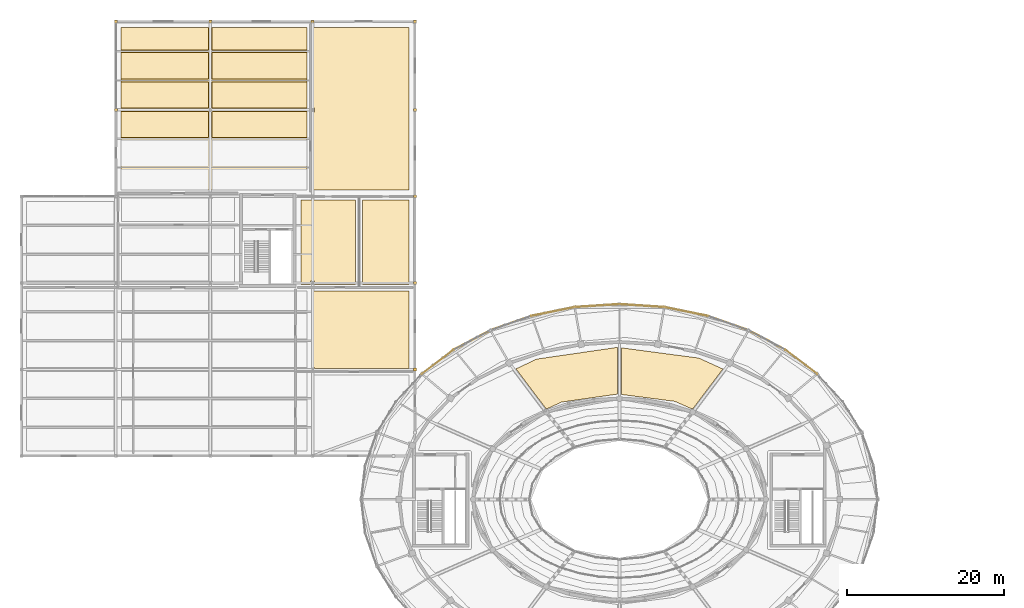
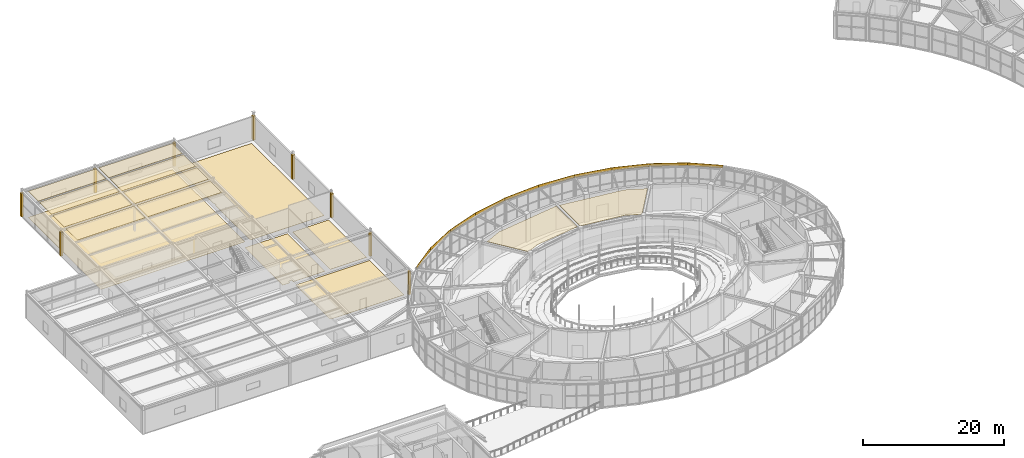
# One storey, part 105 of 108: 34 coverings.
"""IFC4 building model written with IfcOpenShell, lengths in metres."""

from ifc_helpers import new_model, si_unit, direction, frame, frame_2d, origin, origin_2d, place, context, subcontext, project, spatial, polyline, rectangle, outline, extrude, material, layer, layer_set, type_object, element, save


model = new_model("IFC4")

# Units and contexts
model_context = context("Model", 3, precision=1e-05, world=origin(), true_north=direction((0.0, 1.0)))
body_context = subcontext(model_context, "Body", "Model", "MODEL_VIEW")
ifc_project = project(units=[si_unit("LENGTHUNIT", "METRE"), si_unit("AREAUNIT", "SQUARE_METRE"), si_unit("VOLUMEUNIT", "CUBIC_METRE"), si_unit("PLANEANGLEUNIT", "RADIAN"), si_unit("MASSUNIT", "GRAM", prefix="KILO")], contexts=[model_context])

# Site, building, storey
site_placement = place(None, origin())
site = spatial("IfcSite", under=ifc_project, at=site_placement, CompositionType="ELEMENT")
building_placement = place(site_placement, origin())
building = spatial("IfcBuilding", under=site, at=building_placement, Name="Tarnveldt Headland Concert Hall", CompositionType="ELEMENT")
storey_placement = place(building_placement, frame((0.0, 0.0, 9.60009765625)))
storey = spatial("IfcBuildingStorey", under=building, at=storey_placement, Name="L02", CompositionType="ELEMENT", Elevation=9.60009765625)

# Coverings
ifc_material_1 = material(Name="Micro-perforated mvule acoustic ceiling panel", Category="timber")
ifc_layer_1 = layer(ifc_material_1, 0.050048828125, Name="Micro-perforated mvule acoustic ceiling panel", Category="timber")
ifc_layer_set_1 = layer_set([ifc_layer_1], Name="Micro-perforated mvule acoustic ceiling panel")
covering_type_1 = type_object("IfcCoveringType", Name="CV-CEIL50", PredefinedType="CEILING", material=ifc_layer_set_1)
covering_1_placement = place(storey_placement, frame((0.0, 0.0, 4.5)))
element("IfcCovering", 1, at=covering_1_placement, inside=storey, type_object=covering_type_1, Name="Acoustic mvule ceiling L02-10-252", PredefinedType="CEILING", context=body_context, shape_type="SweptSolid", body=[
    extrude(outline(polyline([(90.525146484375, 66.949462890625), (83.72998046875, 67.82958984375), (83.72998046875, 73.755615234375), (93.58447265625, 72.45263671875), (96.640380859375, 71.06201171875), (92.851318359375, 66.03515625), (92.5947265625, 66.03515625), (90.575439453125, 66.935302734375), (90.55908203125, 66.941650390625), (90.54248046875, 66.9462890625), (90.525146484375, 66.949462890625)])), origin(), (0.0, 0.0, 1.0), 0.0498046875),
])
covering_2_placement = place(storey_placement, frame((0.0, 0.0, 4.5)))
element("IfcCovering", 2, at=covering_2_placement, inside=storey, type_object=covering_type_1, Name="Acoustic mvule ceiling L02-10-253", PredefinedType="CEILING", context=body_context, shape_type="SweptSolid", body=[
    extrude(outline(polyline([(76.114990234375, 66.847412109375), (74.36083984375, 66.03515625), (74.148681640625, 66.03515625), (70.344482421875, 71.08251953125), (72.973388671875, 72.324951171875), (83.260986328125, 73.817626953125), (83.27001953125, 73.81640625), (83.27001953125, 67.872314453125), (76.165283203125, 66.8623046875), (76.148193359375, 66.859130859375), (76.13134765625, 66.85400390625), (76.114990234375, 66.847412109375)])), origin(), (0.0, 0.0, 1.0), 0.0498046875),
])
covering_3_placement = place(storey_placement, frame((0.0, 0.0, 4.5)))
element("IfcCovering", 3, at=covering_3_placement, inside=storey, type_object=covering_type_1, Name="Acoustic mvule ceiling L02-29-281", PredefinedType="CEILING", context=body_context, shape_type="SweptSolid", body=[
    extrude(outline(polyline([(31.27001953125, 107.89794921875), (20.1298828125, 107.89794921875), (20.1298828125, 111.302001953125), (31.27001953125, 111.302001953125), (31.27001953125, 107.89794921875)])), origin(), (0.0, 0.0, 1.0), 0.0498046875),
])
covering_4_placement = place(storey_placement, frame((0.0, 0.0, 4.5)))
element("IfcCovering", 4, at=covering_4_placement, inside=storey, type_object=covering_type_1, Name="Acoustic mvule ceiling L02-29-282", PredefinedType="CEILING", context=body_context, shape_type="SweptSolid", body=[
    extrude(outline(polyline([(31.27001953125, 111.632080078125), (20.1298828125, 111.632080078125), (20.1298828125, 114.469970703125), (31.27001953125, 114.469970703125), (31.27001953125, 111.632080078125)])), origin(), (0.0, 0.0, 1.0), 0.0498046875),
])
covering_5_placement = place(storey_placement, frame((0.0, 0.0, 4.5)))
element("IfcCovering", 5, at=covering_5_placement, inside=storey, type_object=covering_type_1, Name="Acoustic mvule ceiling L02-29-283", PredefinedType="CEILING", context=body_context, shape_type="SweptSolid", body=[
    extrude(outline(polyline([(31.72998046875, 111.302001953125), (43.77001953125, 111.302001953125), (43.77001953125, 107.89794921875), (31.72998046875, 107.89794921875), (31.72998046875, 111.302001953125)])), origin(), (0.0, 0.0, 1.0), 0.0498046875),
])
covering_6_placement = place(storey_placement, frame((0.0, 0.0, 4.5)))
element("IfcCovering", 6, at=covering_6_placement, inside=storey, type_object=covering_type_1, Name="Acoustic mvule ceiling L02-29-284", PredefinedType="CEILING", context=body_context, shape_type="SweptSolid", body=[
    extrude(outline(polyline([(43.77001953125, 114.469970703125), (43.77001953125, 111.632080078125), (31.72998046875, 111.632080078125), (31.72998046875, 114.469970703125), (43.77001953125, 114.469970703125)])), origin(), (0.0, 0.0, 1.0), 0.0498046875),
])
covering_7_placement = place(storey_placement, frame((0.0, 0.0, 4.5)))
element("IfcCovering", 7, at=covering_7_placement, inside=storey, type_object=covering_type_1, Name="Acoustic mvule ceiling L02-29-285", PredefinedType="CEILING", context=body_context, shape_type="SweptSolid", body=[
    extrude(outline(polyline([(31.75, 104.25), (31.72998046875, 104.25), (31.72998046875, 107.568115234375), (43.77001953125, 107.568115234375), (43.77001953125, 104.22998046875), (31.75, 104.22998046875), (31.75, 104.25)])), origin(), (0.0, 0.0, 1.0), 0.0498046875),
])
covering_8_placement = place(storey_placement, frame((0.0, 0.0, 4.5)))
element("IfcCovering", 8, at=covering_8_placement, inside=storey, type_object=covering_type_1, Name="Acoustic mvule ceiling L02-29-286", PredefinedType="CEILING", context=body_context, shape_type="SweptSolid", body=[
    extrude(outline(polyline([(20.1298828125, 107.568115234375), (31.27001953125, 107.568115234375), (31.27001953125, 104.25), (31.25, 104.25), (31.25, 104.22998046875), (20.1298828125, 104.22998046875), (20.1298828125, 107.568115234375)])), origin(), (0.0, 0.0, 1.0), 0.0498046875),
])
covering_9_placement = place(storey_placement, frame((0.0, 0.0, 4.5)))
element("IfcCovering", 9, at=covering_9_placement, inside=storey, type_object=covering_type_1, Name="Acoustic mvule ceiling L02-29-288", PredefinedType="CEILING", context=body_context, shape_type="SweptSolid", body=[
    extrude(outline(polyline([(20.1298828125, 100.498046875), (20.1298828125, 103.77001953125), (31.25, 103.77001953125), (31.25, 103.75), (31.27001953125, 103.75), (31.27001953125, 100.498046875), (20.1298828125, 100.498046875)])), origin(), (0.0, 0.0, 1.0), 0.0498046875),
])
covering_10_placement = place(storey_placement, frame((0.0, 0.0, 4.5)))
element("IfcCovering", 10, at=covering_10_placement, inside=storey, type_object=covering_type_1, Name="Acoustic mvule ceiling L02-29-289", PredefinedType="CEILING", context=body_context, shape_type="SweptSolid", body=[
    extrude(outline(polyline([(31.75, 103.75), (31.75, 103.77001953125), (43.77001953125, 103.77001953125), (43.77001953125, 100.498046875), (31.72998046875, 100.498046875), (31.72998046875, 103.75), (31.75, 103.75)])), origin(), (0.0, 0.0, 1.0), 0.0498046875),
])
ifc_material_2 = material(Name="Treated East African mvule hardwood", Category="wood")
ifc_layer_2 = layer(ifc_material_2, 0.044921875, Name="Treated East African mvule hardwood", Category="wood")
ifc_layer_set_2 = layer_set([ifc_layer_2], Name="Treated East African mvule hardwood")
covering_type_2 = type_object("IfcCoveringType", Name="CV-CLAD45", PredefinedType="CLADDING", material=ifc_layer_set_2)
covering_11_placement = place(storey_placement, frame((108.626220703125, 70.441162109375, 4.27001953125), z_axis=(0.0, 0.0, 1.0), x_axis=(-0.797664418204, 0.603101546948, 0.0)))
element("IfcCovering", 11, at=covering_11_placement, inside=storey, type_object=covering_type_2, Name="Mvule hardwood fascia band L02-5", PredefinedType="CLADDING", context=body_context, shape_type="SweptSolid", body=[
    extrude(rectangle(XDim=5.068115234375, YDim=0.044921875, at=frame_2d((2.5341796875, 0.0))), origin(), (0.0, 0.0, 1.0), 0.519775390625),
])
covering_12_placement = place(storey_placement, frame((104.58349609375, 73.497802734375, 4.27001953125), z_axis=(0.0, 0.0, 1.0), x_axis=(-0.88379239872, 0.467879253617, 0.0)))
element("IfcCovering", 12, at=covering_12_placement, inside=storey, type_object=covering_type_2, Name="Mvule hardwood fascia band L02-6", PredefinedType="CLADDING", context=body_context, shape_type="SweptSolid", body=[
    extrude(rectangle(XDim=5.29931640625, YDim=0.044921875, at=frame_2d((2.649658203125, 0.0))), origin(), (0.0, 0.0, 1.0), 0.519775390625),
])
covering_13_placement = place(storey_placement, frame((99.89990234375, 75.977294921875, 4.27001953125), z_axis=(0.0, 0.0, 1.0), x_axis=(-0.943085453999, 0.332550487077, 0.0)))
element("IfcCovering", 13, at=covering_13_placement, inside=storey, type_object=covering_type_2, Name="Mvule hardwood fascia band L02-7", PredefinedType="CLADDING", context=body_context, shape_type="SweptSolid", body=[
    extrude(rectangle(XDim=5.494384765625, YDim=0.044921875, at=frame_2d((2.7470703125, 0.0))), origin(), (0.0, 0.0, 1.0), 0.519775390625),
])
covering_14_placement = place(storey_placement, frame((94.71826171875, 77.804443359375, 4.27001953125), z_axis=(0.0, 0.0, 1.0), x_axis=(-0.980094417088, 0.198531946026, 0.0)))
element("IfcCovering", 14, at=covering_14_placement, inside=storey, type_object=covering_type_2, Name="Mvule hardwood fascia band L02-8", PredefinedType="CLADDING", context=body_context, shape_type="SweptSolid", body=[
    extrude(rectangle(XDim=5.634521484375, YDim=0.044921875, at=frame_2d((2.8173828125, 0.0))), origin(), (0.0, 0.0, 1.0), 0.519775390625),
])
for number, where, z_axis, x_axis, name in (
    (15, (89.19580078125, 78.923095703125, 4.27001953125), (0.0, 0.0, 1.0), (-0.997817213059, 0.066036424216, 0.0), "Mvule hardwood fascia band L02-9"),
    (16, (83.5, 79.300048828125, 4.27001953125), (0.0, 0.0, 1.0), (-0.997817213059, -0.066036424216, 0.0), "Mvule hardwood fascia band L02-10"),
):
    element("IfcCovering", number, at=place(storey_placement, frame(where, z_axis=z_axis, x_axis=x_axis)), inside=storey, type_object=covering_type_2, Name=name, PredefinedType="CLADDING", context=body_context, shape_type="SweptSolid", body=[
        extrude(rectangle(XDim=5.708251953125, YDim=0.044921875, at=frame_2d((2.85400390625, 0.0))), origin(), (0.0, 0.0, 1.0), 0.519775390625),
    ])
covering_15_placement = place(storey_placement, frame((77.80419921875, 78.923095703125, 4.27001953125), z_axis=(0.0, 0.0, 1.0), x_axis=(-0.980094417088, -0.198531946026, 0.0)))
element("IfcCovering", 17, at=covering_15_placement, inside=storey, type_object=covering_type_2, Name="Mvule hardwood fascia band L02-11", PredefinedType="CLADDING", context=body_context, shape_type="SweptSolid", body=[
    extrude(rectangle(XDim=5.634521484375, YDim=0.044921875, at=frame_2d((2.8173828125, 0.0))), origin(), (0.0, 0.0, 1.0), 0.519775390625),
])
covering_16_placement = place(storey_placement, frame((72.28173828125, 77.804443359375, 4.27001953125), z_axis=(0.0, 0.0, 1.0), x_axis=(-0.943085453999, -0.332550487077, 0.0)))
element("IfcCovering", 18, at=covering_16_placement, inside=storey, type_object=covering_type_2, Name="Mvule hardwood fascia band L02-12", PredefinedType="CLADDING", context=body_context, shape_type="SweptSolid", body=[
    extrude(rectangle(XDim=5.494384765625, YDim=0.044921875, at=frame_2d((2.7470703125, 0.0))), origin(), (0.0, 0.0, 1.0), 0.519775390625),
])
covering_17_placement = place(storey_placement, frame((67.10009765625, 75.977294921875, 4.27001953125), z_axis=(0.0, 0.0, 1.0), x_axis=(-0.88379239872, -0.467879253617, 0.0)))
element("IfcCovering", 19, at=covering_17_placement, inside=storey, type_object=covering_type_2, Name="Mvule hardwood fascia band L02-13", PredefinedType="CLADDING", context=body_context, shape_type="SweptSolid", body=[
    extrude(rectangle(XDim=5.29931640625, YDim=0.044921875, at=frame_2d((2.649658203125, 0.0))), origin(), (0.0, 0.0, 1.0), 0.519775390625),
])
covering_18_placement = place(storey_placement, frame((62.41650390625, 73.497802734375, 4.27001953125), z_axis=(0.0, 0.0, 1.0), x_axis=(-0.797664418204, -0.603101546948, 0.0)))
element("IfcCovering", 20, at=covering_18_placement, inside=storey, type_object=covering_type_2, Name="Mvule hardwood fascia band L02-14", PredefinedType="CLADDING", context=body_context, shape_type="SweptSolid", body=[
    extrude(rectangle(XDim=5.068115234375, YDim=0.044921875, at=frame_2d((2.5341796875, 0.0))), origin(), (0.0, 0.0, 1.0), 0.519775390625),
])
ifc_material_3 = material(Name="Polished coral-aggregate cementitious terrazzo flooring", Category="concrete")
ifc_layer_3 = layer(ifc_material_3, 0.034912109375, Name="Polished coral-aggregate cementitious terrazzo flooring", Category="concrete")
ifc_layer_set_3 = layer_set([ifc_layer_3], Name="Polished coral-aggregate cementitious terrazzo flooring")
covering_type_3 = type_object("IfcCoveringType", Name="CV-FLOR35", PredefinedType="FLOORING", material=ifc_layer_set_3)
covering_19_placement = place(storey_placement, origin())
element("IfcCovering", 21, at=covering_19_placement, inside=storey, type_object=covering_type_3, Name="Architectural flooring L02-23-81", PredefinedType="FLOORING", context=body_context, shape_type="SweptSolid", body=[
    extrude(outline(polyline([(56.77001953125, 80.969970703125), (56.77001953125, 71.1298828125), (44.75, 71.1298828125), (44.75, 71.25), (44.6298828125, 71.25), (44.6298828125, 80.969970703125), (56.77001953125, 80.969970703125)])), origin(), (0.0, 0.0, 1.0), 0.034912109375),
])
covering_20_placement = place(storey_placement, origin())
element("IfcCovering", 22, at=covering_20_placement, inside=storey, type_object=covering_type_3, Name="Architectural flooring L02-27-85", PredefinedType="FLOORING", context=body_context, shape_type="SweptSolid", body=[
    extrude(outline(polyline([(49.969970703125, 92.570068359375), (49.969970703125, 81.830078125), (44.75, 81.830078125), (44.75, 82.25), (44.25, 82.25), (44.25, 81.830078125), (43.030029296875, 81.830078125), (43.030029296875, 92.570068359375), (49.969970703125, 92.570068359375)])), origin(), (0.0, 0.0, 1.0), 0.034912109375),
])
covering_21_placement = place(storey_placement, origin())
element("IfcCovering", 23, at=covering_21_placement, inside=storey, type_object=covering_type_3, Name="Architectural flooring L02-28-86", PredefinedType="FLOORING", context=body_context, shape_type="SweptSolid", body=[
    extrude(outline(polyline([(50.830078125, 92.570068359375), (56.77001953125, 92.570068359375), (56.77001953125, 81.830078125), (50.830078125, 81.830078125), (50.830078125, 92.570068359375)])), origin(), (0.0, 0.0, 1.0), 0.034912109375),
])
covering_22_placement = place(storey_placement, origin())
element("IfcCovering", 24, at=covering_22_placement, inside=storey, type_object=covering_type_3, Name="Architectural flooring L02-29-87", PredefinedType="FLOORING", context=body_context, shape_type="SweptSolid", body=[
    extrude(outline(polyline([(43.77001953125, 114.469970703125), (43.77001953125, 93.830078125), (20.1298828125, 93.830078125), (20.1298828125, 114.469970703125), (43.77001953125, 114.469970703125)])), origin(), (0.0, 0.0, 1.0), 0.034912109375),
])
covering_23_placement = place(storey_placement, origin())
element("IfcCovering", 25, at=covering_23_placement, inside=storey, type_object=covering_type_3, Name="Architectural flooring L02-30-88", PredefinedType="FLOORING", context=body_context, shape_type="SweptSolid", body=[
    extrude(outline(polyline([(44.75, 103.75), (44.75, 104.25), (44.6298828125, 104.25), (44.6298828125, 114.469970703125), (56.77001953125, 114.469970703125), (56.77001953125, 93.830078125), (44.6298828125, 93.830078125), (44.6298828125, 103.75), (44.75, 103.75)])), origin(), (0.0, 0.0, 1.0), 0.034912109375),
])
ifc_material_4 = material(Name="Coral-toned precast concrete C40/50", Category="concrete")
ifc_layer_4 = layer(ifc_material_4, 0.360107421875, Name="Coral-toned precast concrete C40/50", Category="concrete")
ifc_layer_set_4 = layer_set([ifc_layer_4], Name="Coral-toned precast concrete C40/50")
covering_type_4 = type_object("IfcCoveringType", Name="CV-JNT360", PredefinedType="CLADDING", material=ifc_layer_set_4)
for number, where, z_axis, x_axis, name in (
    (26, (19.5, 104.0, 0.0), (0.0, 0.0, 1.0), (0.0, 1.0, 0.0), "Precast facade joint closure pilaster L02-259"),
    (27, (19.5, 115.199951171875, 0.0), (0.0, 0.0, 1.0), (1.0, 0.0, 0.0), "Precast facade joint closure pilaster L02-260"),
    (28, (31.5, 115.199951171875, 0.0), (0.0, 0.0, 1.0), (1.0, 0.0, 0.0), "Precast facade joint closure pilaster L02-264"),
    (29, (44.5, 115.199951171875, 0.0), (0.0, 0.0, 1.0), (1.0, 0.0, 0.0), "Precast facade joint closure pilaster L02-273"),
):
    element("IfcCovering", number, at=place(storey_placement, frame(where, z_axis=z_axis, x_axis=x_axis)), inside=storey, type_object=covering_type_4, Name=name, PredefinedType="CLADDING", context=body_context, shape_type="SweptSolid", body=[
        extrude(rectangle(XDim=0.3798828125, YDim=0.3798828125, at=origin_2d()), origin(), (0.0, 0.0, 1.0), 4.087890625),
    ])
for number, where, z_axis, x_axis, name in (
    (30, (57.5, 71.0, 0.0), (0.0, 0.0, 1.0), (0.0, -1.0, 0.0), "Precast facade joint closure pilaster L02-276"),
    (31, (57.5, 82.0, 0.0), (0.0, 0.0, 1.0), (0.0, -1.0, 0.0), "Precast facade joint closure pilaster L02-277"),
):
    element("IfcCovering", number, at=place(storey_placement, frame(where, z_axis=z_axis, x_axis=x_axis)), inside=storey, type_object=covering_type_4, Name=name, PredefinedType="CLADDING", context=body_context, shape_type="SweptSolid", body=[
        extrude(rectangle(XDim=0.3798828125, YDim=0.3798828125, at=origin_2d()), origin(), (0.0, 0.0, 1.0), 4.028076171875),
    ])
for number, where, z_axis, x_axis, name in (
    (32, (57.5, 93.0, 0.0), (0.0, 0.0, 1.0), (0.0, -1.0, 0.0), "Precast facade joint closure pilaster L02-278"),
    (33, (57.5, 104.0, 0.0), (0.0, 0.0, 1.0), (0.0, -1.0, 0.0), "Precast facade joint closure pilaster L02-279"),
    (34, (57.5, 115.199951171875, 0.0), (0.0, 0.0, 1.0), (0.0, -1.0, 0.0), "Precast facade joint closure pilaster L02-280"),
):
    element("IfcCovering", number, at=place(storey_placement, frame(where, z_axis=z_axis, x_axis=x_axis)), inside=storey, type_object=covering_type_4, Name=name, PredefinedType="CLADDING", context=body_context, shape_type="SweptSolid", body=[
        extrude(rectangle(XDim=0.3798828125, YDim=0.3798828125, at=origin_2d()), origin(), (0.0, 0.0, 1.0), 4.18994140625),
    ])

save(model, "model.ifc")
